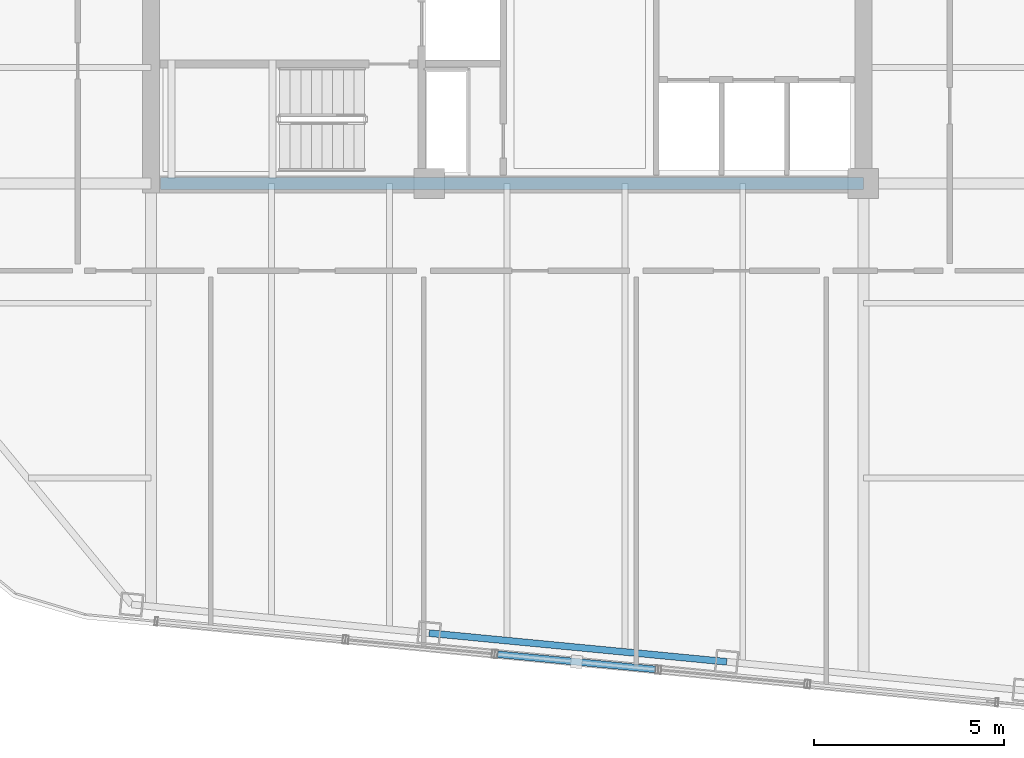
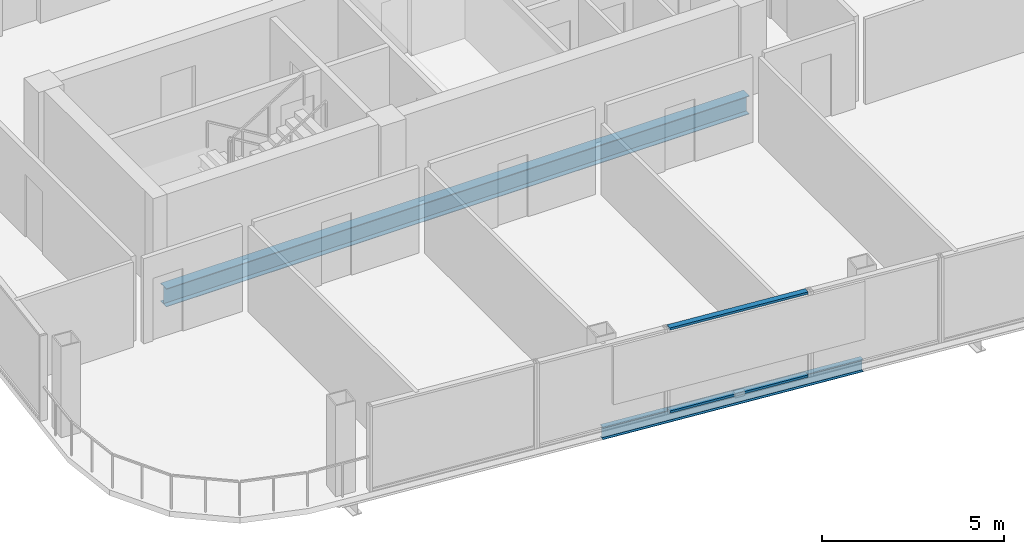
# One storey, part 4 of 22: 2 beams, 2 members, 1 element without a shape of its own.
"""IFC4 building model written with IfcOpenShell, lengths in metres."""

from ifc_helpers import new_model, si_unit, direction, frame, origin, origin_2d, place, context, subcontext, project, spatial, hollow_rectangle, i_section, extrude, material, layer, layer_set, material_profile, profile_set, type_object, element, aggregate, save


model = new_model("IFC4")

# Units and contexts
model_context = context("Model", 3, precision=1e-05, world=origin(), true_north=direction((0.0, 1.0)))
body_context = subcontext(model_context, "Body", "Model", "MODEL_VIEW")
ifc_project = project(units=[si_unit("LENGTHUNIT", "METRE"), si_unit("AREAUNIT", "SQUARE_METRE"), si_unit("VOLUMEUNIT", "CUBIC_METRE"), si_unit("PLANEANGLEUNIT", "RADIAN"), si_unit("MASSUNIT", "GRAM", prefix="KILO")], contexts=[model_context])

# Site, building, storey
site_placement = place(None, origin())
site = spatial("IfcSite", under=ifc_project, at=site_placement, CompositionType="ELEMENT")
building_placement = place(site_placement, origin())
building = spatial("IfcBuilding", under=site, at=building_placement, Name="Qhalaya Broadcast Tower", CompositionType="ELEMENT")
storey_placement = place(building_placement, frame((0.0, 0.0, 252.0)))
storey = spatial("IfcBuildingStorey", under=building, at=storey_placement, Name="L74", CompositionType="ELEMENT", Elevation=252.0)

# Beam
ifc_material_1 = material(Name="Structural Steel ASTM A992 Grade 50", Category="steel")
ifc_material_profile_1 = material_profile(ifc_material_1, i_section(OverallWidth=0.323974609375, OverallDepth=0.612060546875, WebThickness=0.0126953125, FlangeThickness=0.01904296875, at=origin_2d()), Name="W24X104")
ifc_profile_set_1 = profile_set([ifc_material_profile_1], Name="Structural Steel ASTM A992 Grade 50")
beam_type_1 = type_object("IfcBeamType", Name="Core Frame Tie Beam B04", PredefinedType="BEAM", material=ifc_profile_set_1)
beam_1_placement = place(storey_placement, frame((-9.1201171875, -8.75, -0.49609375), z_axis=(1.0, 0.0, 0.0), x_axis=(0.0, 1.0, 0.0)))
element("IfcBeam", 1, at=beam_1_placement, inside=storey, type_object=beam_type_1, Name="L74 B04 L74-CCS3", PredefinedType="BEAM", context=body_context, shape_type="SweptSolid", body=[
    extrude(i_section(OverallWidth=0.323974609375, OverallDepth=0.612060546875, WebThickness=0.0126953125, FlangeThickness=0.01904296875, at=origin_2d()), origin(), (0.0, 0.0, 1.0), 18.4951171875),
])

# Curtain wall, members
ifc_material_2 = material(Name="Fired Architectural Terracotta", Category="masonry")
ifc_layer = layer(ifc_material_2, 0.219970703125, Name="Fired Architectural Terracotta")
ifc_layer_set = layer_set([ifc_layer], Name="Fired Architectural Terracotta")
curtain_wall_type = type_object("IfcCurtainWallType", Name="Block-Cap Unitised Terracotta Spandrel Wall CW-07", PredefinedType="NOTDEFINED", material=ifc_layer_set)
curtain_wall_placement = place(storey_placement, origin())
curtain_wall = element("IfcCurtainWall", 2, at=curtain_wall_placement, inside=storey, type_object=curtain_wall_type, Name="L74 Unitised Curtain Wall L74-CW-S3", PredefinedType="NOTDEFINED")
ifc_material_3 = material(Name="Anodised Aluminium 6063-T6", Category="aluminium")
ifc_material_profile_2 = material_profile(ifc_material_3, hollow_rectangle(XDim=0.074951171875, YDim=0.179931640625, WallThickness=0.00390625, at=origin_2d()), Name="ALU-TRN 75x180x4")
ifc_profile_set_2 = profile_set([ifc_material_profile_2], Name="Anodised Aluminium 6063-T6")
member_type = type_object("IfcMemberType", Name="Unitised Curtain-Wall Transom T01", PredefinedType="USERDEFINED", material=ifc_profile_set_2)
member_1_placement = place(storey_placement, frame((-0.251220703125, -21.1376953125, 0.03759765625), z_axis=(0.995399808242, -0.095808255136, 0.0), x_axis=(0.0, 0.0, 1.0)))
member_1 = element("IfcMember", 3, at=member_1_placement, type_object=member_type, Name="CW-07 transom 1.1", ObjectType="TRANSOM", PredefinedType="USERDEFINED", context=body_context, shape_type="SweptSolid", body=[
    extrude(hollow_rectangle(XDim=0.074951171875, YDim=0.179931640625, WallThickness=0.00390625, at=origin_2d()), origin(), (0.0, 0.0, 1.0), 4.174072265625),
])
member_2_placement = place(storey_placement, frame((-0.251220703125, -21.1376953125, 2.822509765625), z_axis=(0.995399808242, -0.095808255136, 0.0), x_axis=(0.0, 0.0, 1.0)))
member_2 = element("IfcMember", 4, at=member_2_placement, type_object=member_type, Name="CW-07 transom 1.2", ObjectType="TRANSOM", PredefinedType="USERDEFINED", context=body_context, shape_type="SweptSolid", body=[
    extrude(hollow_rectangle(XDim=0.074951171875, YDim=0.179931640625, WallThickness=0.00390625, at=origin_2d()), origin(), (0.0, 0.0, 1.0), 4.174072265625),
])
aggregate(curtain_wall, [member_1, member_2])

# Beam
ifc_material_profile_3 = material_profile(ifc_material_1, i_section(OverallWidth=0.177978515625, OverallDepth=0.406005859375, WebThickness=0.0078125, FlangeThickness=0.0126953125, at=origin_2d()), Name="W16X40")
ifc_profile_set_3 = profile_set([ifc_material_profile_3], Name="Structural Steel ASTM A992 Grade 50")
beam_type_2 = type_object("IfcBeamType", Name="Upper Perimeter Spandrel Beam SP2", PredefinedType="SPANDREL", material=ifc_profile_set_3)
beam_2_placement = place(storey_placement, frame((-2.052490234375, -20.58251953125, -0.39306640625), z_axis=(0.995397023367, -0.095837184179, 0.0), x_axis=(0.095837184179, 0.995397023367, 0.0)))
element("IfcBeam", 5, at=beam_2_placement, inside=storey, type_object=beam_type_2, Name="L74 SP2 L74-SPR-02", PredefinedType="SPANDREL", context=body_context, shape_type="SweptSolid", body=[
    extrude(i_section(OverallWidth=0.177978515625, OverallDepth=0.406005859375, WebThickness=0.0078125, FlangeThickness=0.0126953125, at=origin_2d()), origin(), (0.0, 0.0, 1.0), 7.866455078125),
])

save(model, "model.ifc")
